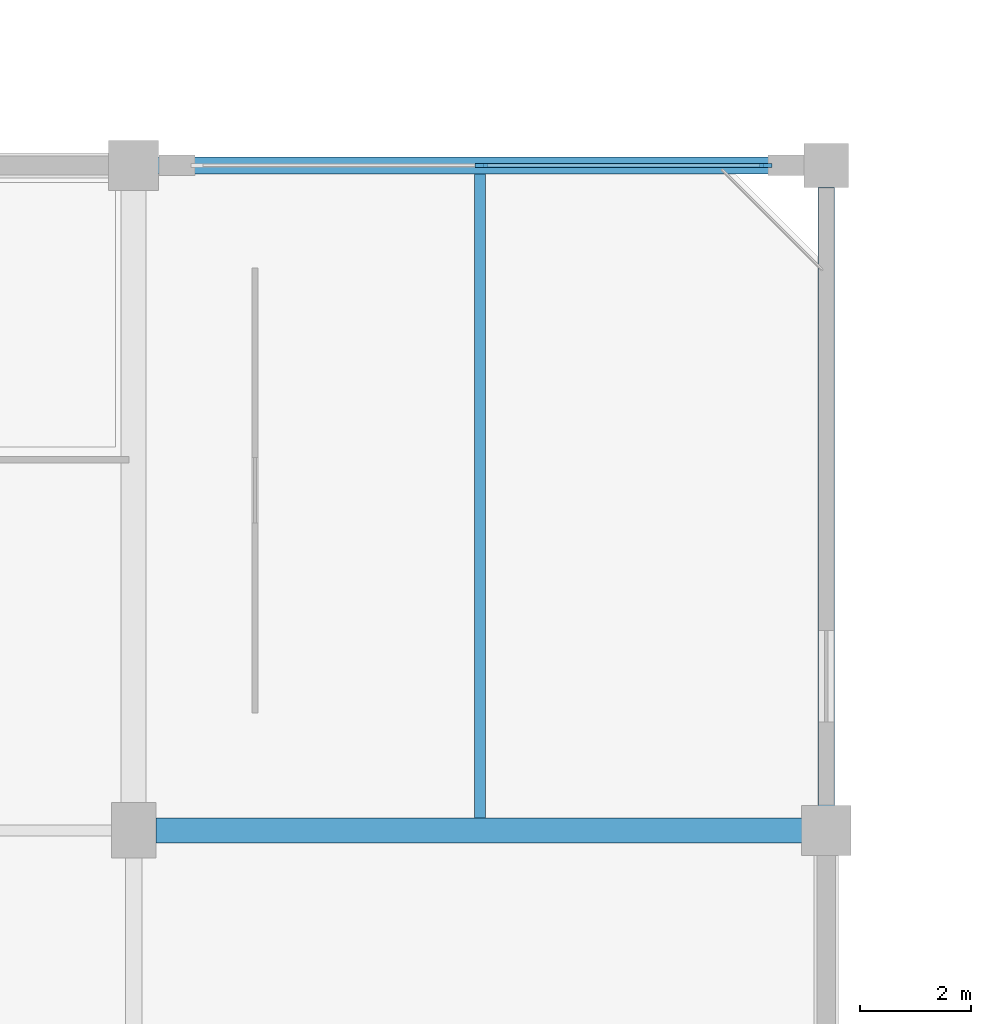
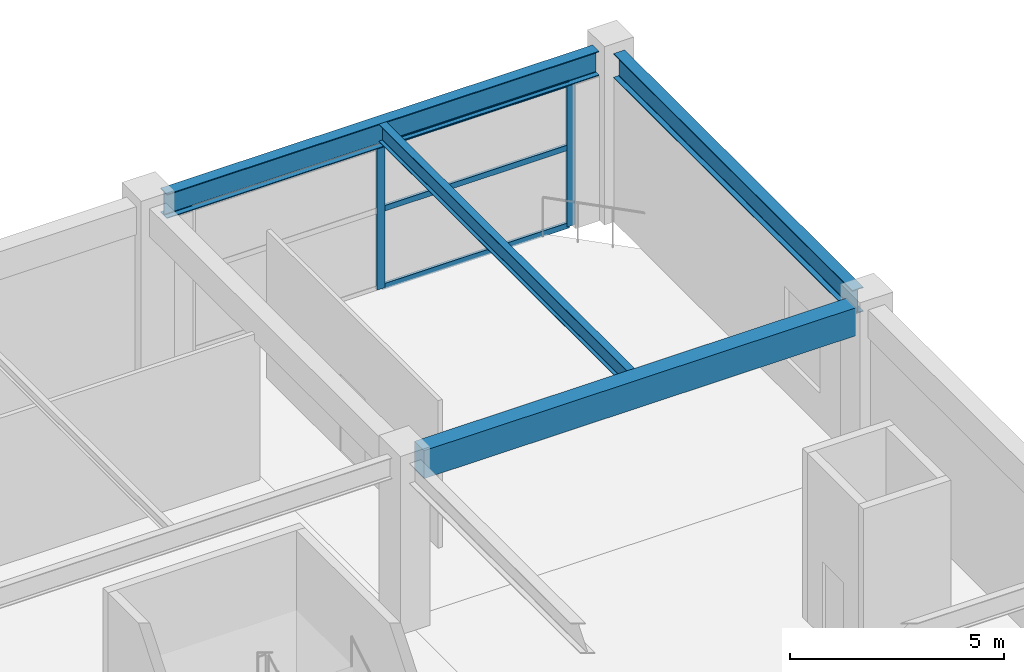
# One storey, part 54 of 116: 5 members, 4 beams, 1 element without a shape of its own.
"""IFC4 building model written with IfcOpenShell, lengths in metres."""

from ifc_helpers import new_model, si_unit, direction, frame, origin, origin_2d, place, context, subcontext, project, spatial, rectangle, i_section, extrude, material, layer, layer_set, material_profile, profile_set, type_object, element, aggregate, save


model = new_model("IFC4")

# Units and contexts
model_context = context("Model", 3, precision=1e-05, world=origin(), true_north=direction((0.0, 1.0)))
body_context = subcontext(model_context, "Body", "Model", "MODEL_VIEW")
ifc_project = project(units=[si_unit("LENGTHUNIT", "METRE"), si_unit("AREAUNIT", "SQUARE_METRE"), si_unit("VOLUMEUNIT", "CUBIC_METRE"), si_unit("PLANEANGLEUNIT", "RADIAN"), si_unit("MASSUNIT", "GRAM", prefix="KILO")], contexts=[model_context])

# Site, building, storey
site_placement = place(None, origin())
site = spatial("IfcSite", under=ifc_project, at=site_placement, CompositionType="ELEMENT")
building_placement = place(site_placement, origin())
building = spatial("IfcBuilding", under=site, at=building_placement, Name="Kazenohara Klinker Stadium", CompositionType="ELEMENT")
storey_placement = place(building_placement, frame((0.0, 0.0, 10.199951171875)))
storey = spatial("IfcBuildingStorey", under=building, at=storey_placement, Name="L02", CompositionType="ELEMENT", Elevation=10.199951171875)

# Beams
ifc_material_1 = material(Name="Steel S355", Category="steel")
ifc_material_profile_1 = material_profile(ifc_material_1, i_section(OverallWidth=0.199951171875, OverallDepth=0.5, WebThickness=0.010009765625, FlangeThickness=0.01611328125, FilletRadius=0.012939453125, at=origin_2d()), Name="H-500x200x10x16")
ifc_profile_set_1 = profile_set([ifc_material_profile_1], Name="Steel S355")
beam_type_1 = type_object("IfcBeamType", Name="BM-JST01", PredefinedType="JOIST", material=ifc_profile_set_1)
beam_1_placement = place(storey_placement, frame((193.75, 144.22509765625, 4.570068359375), z_axis=(0.0, 1.0, 0.0), x_axis=(-1.0, 0.0, 0.0)))
element("IfcBeam", 1, at=beam_1_placement, inside=storey, type_object=beam_type_1, Name="Secondary floor joist SJ01 L02 16/N", PredefinedType="JOIST", context=body_context, shape_type="SweptSolid", body=[
    extrude(i_section(OverallWidth=0.199951171875, OverallDepth=0.5, WebThickness=0.010009765625, FlangeThickness=0.01611328125, FilletRadius=0.012939453125, at=origin_2d()), origin(), (0.0, 0.0, 1.0), 11.625),
])
ifc_material_2 = material(Name="Concrete C40/50", Category="concrete")
ifc_material_profile_2 = material_profile(ifc_material_2, rectangle(XDim=0.449951171875, YDim=0.800048828125, at=origin_2d()), Name="RC-BM-450x800")
ifc_profile_set_2 = profile_set([ifc_material_profile_2], Name="Concrete C40/50")
beam_type_2 = type_object("IfcBeamType", Name="BM-RC03", PredefinedType="BEAM", material=ifc_profile_set_2)
beam_2_placement = place(storey_placement, frame((187.89990234375, 144.0, 4.420166015625), z_axis=(1.0, 0.0, 0.0), x_axis=(0.0, 1.0, 0.0)))
element("IfcBeam", 2, at=beam_2_placement, inside=storey, type_object=beam_type_2, Name="Primary girder BG03 L02 16-17/N", PredefinedType="BEAM", context=body_context, shape_type="SweptSolid", body=[
    extrude(rectangle(XDim=0.449951171875, YDim=0.800048828125, at=origin_2d()), origin(), (0.0, 0.0, 1.0), 11.68017578125),
])
ifc_material_profile_3 = material_profile(ifc_material_1, i_section(OverallWidth=0.300048828125, OverallDepth=0.699951171875, WebThickness=0.012939453125, FlangeThickness=0.02392578125, FilletRadius=0.02197265625, at=origin_2d()), Name="H-700x300x13x24")
ifc_profile_set_3 = profile_set([ifc_material_profile_3], Name="Steel S355")
beam_type_3 = type_object("IfcBeamType", Name="BM-ST03", PredefinedType="BEAM", material=ifc_profile_set_3)
beam_3_placement = place(storey_placement, frame((187.919921875, 156.0, 4.469970703125), z_axis=(1.0, 0.0, 0.0), x_axis=(0.0, 1.0, 0.0)))
element("IfcBeam", 3, at=beam_3_placement, inside=storey, type_object=beam_type_3, Name="Primary girder SB03 L02 16-17/P", PredefinedType="BEAM", context=body_context, shape_type="SweptSolid", body=[
    extrude(i_section(OverallWidth=0.300048828125, OverallDepth=0.699951171875, WebThickness=0.012939453125, FlangeThickness=0.02392578125, FilletRadius=0.02197265625, at=origin_2d()), origin(), (0.0, 0.0, 1.0), 11.68017578125),
])
beam_4_placement = place(storey_placement, frame((200.0, 144.419921875, 4.469970703125), z_axis=(0.0, 1.0, 0.0), x_axis=(-1.0, 0.0, 0.0)))
element("IfcBeam", 4, at=beam_4_placement, inside=storey, type_object=beam_type_3, Name="Primary girder SB03 L02 17/N-P", PredefinedType="BEAM", context=body_context, shape_type="SweptSolid", body=[
    extrude(i_section(OverallWidth=0.300048828125, OverallDepth=0.699951171875, WebThickness=0.012939453125, FlangeThickness=0.02392578125, FilletRadius=0.02197265625, at=origin_2d()), origin(), (0.0, 0.0, 1.0), 11.18017578125),
])

# Curtain wall, members
ifc_material_3 = material(Name="Anodised aluminium and triple glazing", Category="aluminium")
ifc_layer = layer(ifc_material_3, 0.169921875)
ifc_layer_set = layer_set([ifc_layer], Name="Anodised aluminium and triple glazing")
curtain_wall_type = type_object("IfcCurtainWallType", Name="CW-SYS-04", PredefinedType="USERDEFINED", material=ifc_layer_set)
curtain_wall_placement = place(storey_placement, origin())
curtain_wall = element("IfcCurtainWall", 5, at=curtain_wall_placement, inside=storey, type_object=curtain_wall_type, Name="Unitised facade curtain wall CW04 L02 X15-13", ObjectType="UNITISED CURTAIN WALL", PredefinedType="USERDEFINED")
ifc_material_4 = material(Name="Anodised aluminium 6063-T6", Category="aluminium")
ifc_material_profile_4 = material_profile(ifc_material_4, rectangle(XDim=0.074951171875, YDim=0.219970703125, at=origin_2d()), Name="ALU-MUL-75x220")
ifc_profile_set_4 = profile_set([ifc_material_profile_4], Name="Anodised aluminium 6063-T6")
member_type_1 = type_object("IfcMemberType", Name="CW-MUL-220", PredefinedType="MULLION", material=ifc_profile_set_4)
member_1_placement = place(storey_placement, frame((193.77490234375, 156.0, 0.0), z_axis=(0.0, 0.0, 1.0), x_axis=(0.0, 1.0, 0.0)))
member_1 = element("IfcMember", 6, at=member_1_placement, type_object=member_type_1, Name="CW04 mullion 2", PredefinedType="MULLION", context=body_context, shape_type="SweptSolid", body=[
    extrude(rectangle(XDim=0.074951171875, YDim=0.219970703125, at=origin_2d()), origin(), (0.0, 0.0, 1.0), 4.1201171875),
])
member_2_placement = place(storey_placement, frame((198.908447265625, 156.0, 0.0), z_axis=(0.0, 0.0, 1.0), x_axis=(0.0, 1.0, 0.0)))
member_2 = element("IfcMember", 7, at=member_2_placement, type_object=member_type_1, Name="CW04 mullion 3", PredefinedType="MULLION", context=body_context, shape_type="SweptSolid", body=[
    extrude(rectangle(XDim=0.074951171875, YDim=0.219970703125, at=origin_2d()), origin(), (0.0, 0.0, 1.0), 4.1201171875),
])
ifc_material_profile_5 = material_profile(ifc_material_4, rectangle(XDim=0.074951171875, YDim=0.159912109375, at=origin_2d()), Name="ALU-TRN-75x160")
ifc_profile_set_5 = profile_set([ifc_material_profile_5], Name="Anodised aluminium 6063-T6")
member_type_2 = type_object("IfcMemberType", Name="CW-TRN-160", PredefinedType="USERDEFINED", material=ifc_profile_set_5)
member_3_placement = place(storey_placement, frame((193.8125, 156.0, 0.03759765625), z_axis=(1.0, 0.0, 0.0), x_axis=(0.0, 1.0, 0.0)))
member_3 = element("IfcMember", 8, at=member_3_placement, type_object=member_type_2, Name="CW04 transom 2.1", ObjectType="TRANSOM", PredefinedType="USERDEFINED", context=body_context, shape_type="SweptSolid", body=[
    extrude(rectangle(XDim=0.074951171875, YDim=0.159912109375, at=origin_2d()), origin(), (0.0, 0.0, 1.0), 5.05859375),
])
member_4_placement = place(storey_placement, frame((193.8125, 156.0, 2.26611328125), z_axis=(1.0, 0.0, 0.0), x_axis=(0.0, 1.0, 0.0)))
member_4 = element("IfcMember", 9, at=member_4_placement, type_object=member_type_2, Name="CW04 transom 2.2", ObjectType="TRANSOM", PredefinedType="USERDEFINED", context=body_context, shape_type="SweptSolid", body=[
    extrude(rectangle(XDim=0.074951171875, YDim=0.159912109375, at=origin_2d()), origin(), (0.0, 0.0, 1.0), 5.05859375),
])
member_5_placement = place(storey_placement, frame((193.8125, 156.0, 4.08251953125), z_axis=(1.0, 0.0, 0.0), x_axis=(0.0, 1.0, 0.0)))
member_5 = element("IfcMember", 10, at=member_5_placement, type_object=member_type_2, Name="CW04 transom 2.3", ObjectType="TRANSOM", PredefinedType="USERDEFINED", context=body_context, shape_type="SweptSolid", body=[
    extrude(rectangle(XDim=0.074951171875, YDim=0.159912109375, at=origin_2d()), origin(), (0.0, 0.0, 1.0), 5.05859375),
])
aggregate(curtain_wall, [member_1, member_2, member_3, member_4, member_5])

save(model, "model.ifc")
